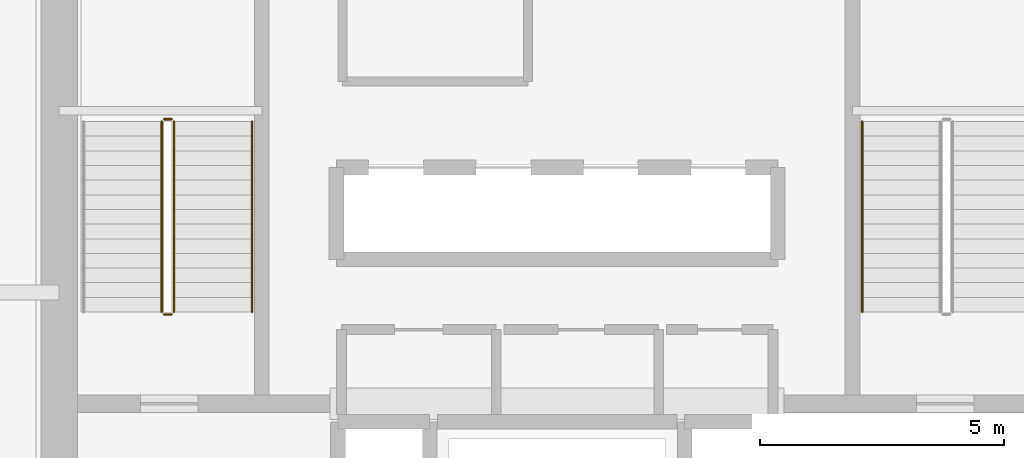
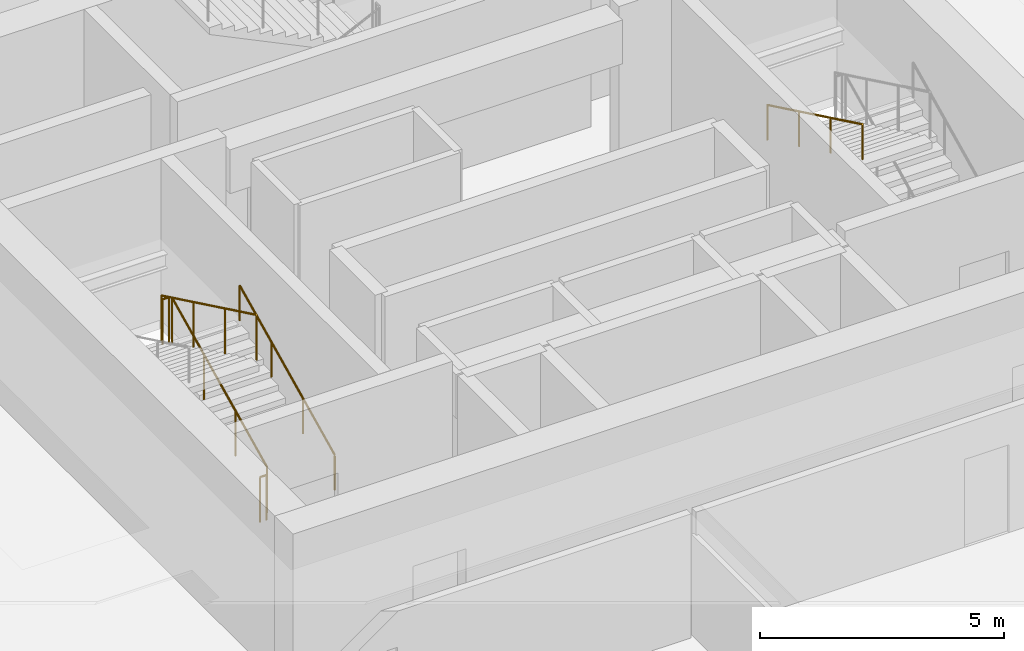
# One storey, part 33 of 36: 6 railings.
"""IFC4 building model written with IfcOpenShell, lengths in metres."""

from ifc_helpers import new_model, si_unit, direction, frame, origin, origin_2d, place, context, subcontext, project, spatial, circle, extrude, material, type_object, element, save


model = new_model("IFC4")

# Units and contexts
model_context = context("Model", 3, precision=1e-05, world=origin(), true_north=direction((0.0, 1.0)))
body_context = subcontext(model_context, "Body", "Model", "MODEL_VIEW")
ifc_project = project(units=[si_unit("LENGTHUNIT", "METRE"), si_unit("AREAUNIT", "SQUARE_METRE"), si_unit("VOLUMEUNIT", "CUBIC_METRE"), si_unit("PLANEANGLEUNIT", "RADIAN"), si_unit("MASSUNIT", "GRAM", prefix="KILO")], contexts=[model_context])

# Site, building, storey
site_placement = place(None, origin())
site = spatial("IfcSite", under=ifc_project, at=site_placement, CompositionType="ELEMENT")
building_placement = place(site_placement, origin())
building = spatial("IfcBuilding", under=site, at=building_placement, Name="Punatoya Terracotta Tower", CompositionType="ELEMENT")
storey_placement = place(building_placement, frame((0.0, 0.0, 32.25)))
storey = spatial("IfcBuildingStorey", under=building, at=storey_placement, Name="L06", CompositionType="ELEMENT", Elevation=32.25)

# Railings
ifc_material = material(Name="Steel S355", Category="steel")
railing_type_1 = type_object("IfcRailingType", Name="RLG-GRD-1150", PredefinedType="GUARDRAIL", material=ifc_material)
railing_1_placement = place(storey_placement, frame((-7.85009765625, -3.800048828125, 0.14453125)))
element("IfcRailing", 1, at=railing_1_placement, inside=storey, type_object=railing_type_1, Name="L06 ST-1 stair guard 1", PredefinedType="GUARDRAIL", context=body_context, shape_type="SweptSolid", body=[
    extrude(circle(Radius=0.02392578125, at=origin_2d()), frame((0.0, 0.0, 1.1259765625), z_axis=(0.0, 0.900773802044, 0.434288564841), x_axis=(-1.0, 0.0, 0.0)), (0.0, 0.0, 1.0), 4.329833984375),
    extrude(circle(Radius=0.02099609375, at=origin_2d()), origin(), (0.0, 0.0, 1.0), 1.101806640625),
    extrude(circle(Radius=0.02099609375, at=origin_2d()), frame((0.0, 1.300048828125, 0.626708984375)), (0.0, 0.0, 1.0), 1.101806640625),
    extrude(circle(Radius=0.02099609375, at=origin_2d()), frame((0.0, 2.60009765625, 1.253662109375)), (0.0, 0.0, 1.0), 1.101806640625),
    extrude(circle(Radius=0.02099609375, at=origin_2d()), frame((0.0, 3.900146484375, 1.88037109375)), (0.0, 0.0, 1.0), 1.101806640625),
])
railing_2_placement = place(storey_placement, frame((-7.89990234375, 0.14990234375, 2.02490234375)))
element("IfcRailing", 2, at=railing_2_placement, inside=storey, type_object=railing_type_1, Name="L06 ST-1 stair guard 2", PredefinedType="GUARDRAIL", context=body_context, shape_type="SweptSolid", body=[
    extrude(circle(Radius=0.02392578125, at=origin_2d()), frame((0.0, 0.0, 1.1259765625), z_axis=(-1.0, 0.0, 0.0), x_axis=(0.0, -1.0, 0.0)), (0.0, 0.0, 1.0), 0.150146484375),
    extrude(circle(Radius=0.02099609375, at=origin_2d()), origin(), (0.0, 0.0, 1.0), 1.101806640625),
    extrude(circle(Radius=0.02099609375, at=origin_2d()), frame((-0.150146484375, 0.0, 0.0)), (0.0, 0.0, 1.0), 1.101806640625),
])
railing_3_placement = place(storey_placement, frame((-8.10009765625, 0.10009765625, 2.169677734375)))
element("IfcRailing", 3, at=railing_3_placement, inside=storey, type_object=railing_type_1, Name="L06 ST-1 stair guard 3", PredefinedType="GUARDRAIL", context=body_context, shape_type="SweptSolid", body=[
    extrude(circle(Radius=0.02392578125, at=origin_2d()), frame((0.0, 0.0, 1.1259765625), z_axis=(0.0, -0.900773802044, 0.434288564841), x_axis=(1.0, 0.0, 0.0)), (0.0, 0.0, 1.0), 4.329833984375),
    extrude(circle(Radius=0.02099609375, at=origin_2d()), origin(), (0.0, 0.0, 1.0), 1.101806640625),
    extrude(circle(Radius=0.02099609375, at=origin_2d()), frame((0.0, -1.300048828125, 0.626708984375)), (0.0, 0.0, 1.0), 1.101806640625),
    extrude(circle(Radius=0.02099609375, at=origin_2d()), frame((0.0, -2.60009765625, 1.253662109375)), (0.0, 0.0, 1.0), 1.101806640625),
    extrude(circle(Radius=0.02099609375, at=origin_2d()), frame((0.0, -3.900146484375, 1.88037109375)), (0.0, 0.0, 1.0), 1.101806640625),
])
railing_4_placement = place(storey_placement, frame((-7.89990234375, -3.85009765625, 0.0)))
element("IfcRailing", 4, at=railing_4_placement, inside=storey, type_object=railing_type_1, Name="L06 ST-1 stair guard 4", PredefinedType="GUARDRAIL", context=body_context, shape_type="SweptSolid", body=[
    extrude(circle(Radius=0.02392578125, at=origin_2d()), frame((0.0, 0.0, 1.1259765625), z_axis=(-1.0, 0.0, 0.0), x_axis=(0.0, -1.0, 0.0)), (0.0, 0.0, 1.0), 0.150146484375),
    extrude(circle(Radius=0.02099609375, at=origin_2d()), origin(), (0.0, 0.0, 1.0), 1.101806640625),
    extrude(circle(Radius=0.02099609375, at=origin_2d()), frame((-0.150146484375, 0.0, 0.0)), (0.0, 0.0, 1.0), 1.101806640625),
])
railing_type_2 = type_object("IfcRailingType", Name="RLG-HND-900", PredefinedType="HANDRAIL", material=ifc_material)
railing_5_placement = place(storey_placement, frame((-6.25, -3.800048828125, 0.14453125)))
element("IfcRailing", 5, at=railing_5_placement, inside=storey, type_object=railing_type_2, Name="L06 ST-1 stair handrail 1", PredefinedType="HANDRAIL", context=body_context, shape_type="SweptSolid", body=[
    extrude(circle(Radius=0.02392578125, at=origin_2d()), frame((0.0, 0.0, 0.8759765625), z_axis=(0.0, 0.900773802044, 0.434288564841), x_axis=(-1.0, 0.0, 0.0)), (0.0, 0.0, 1.0), 4.329833984375),
    extrude(circle(Radius=0.02099609375, at=origin_2d()), origin(), (0.0, 0.0, 1.0), 0.851806640625),
    extrude(circle(Radius=0.02099609375, at=origin_2d()), frame((0.0, 1.300048828125, 0.626708984375)), (0.0, 0.0, 1.0), 0.851806640625),
    extrude(circle(Radius=0.02099609375, at=origin_2d()), frame((0.0, 2.60009765625, 1.253662109375)), (0.0, 0.0, 1.0), 0.851806640625),
    extrude(circle(Radius=0.02099609375, at=origin_2d()), frame((0.0, 3.900146484375, 1.88037109375)), (0.0, 0.0, 1.0), 0.851806640625),
])
railing_6_placement = place(storey_placement, frame((6.25, 0.10009765625, 2.169677734375)))
element("IfcRailing", 6, at=railing_6_placement, inside=storey, type_object=railing_type_2, Name="L06 ST-2 stair handrail 2", PredefinedType="HANDRAIL", context=body_context, shape_type="SweptSolid", body=[
    extrude(circle(Radius=0.02392578125, at=origin_2d()), frame((0.0, 0.0, 0.8759765625), z_axis=(0.0, -0.900773802044, 0.434288564841), x_axis=(1.0, 0.0, 0.0)), (0.0, 0.0, 1.0), 4.329833984375),
    extrude(circle(Radius=0.02099609375, at=origin_2d()), origin(), (0.0, 0.0, 1.0), 0.851806640625),
    extrude(circle(Radius=0.02099609375, at=origin_2d()), frame((0.0, -1.300048828125, 0.626708984375)), (0.0, 0.0, 1.0), 0.851806640625),
    extrude(circle(Radius=0.02099609375, at=origin_2d()), frame((0.0, -2.60009765625, 1.253662109375)), (0.0, 0.0, 1.0), 0.851806640625),
    extrude(circle(Radius=0.02099609375, at=origin_2d()), frame((0.0, -3.900146484375, 1.88037109375)), (0.0, 0.0, 1.0), 0.851806640625),
])

save(model, "model.ifc")
